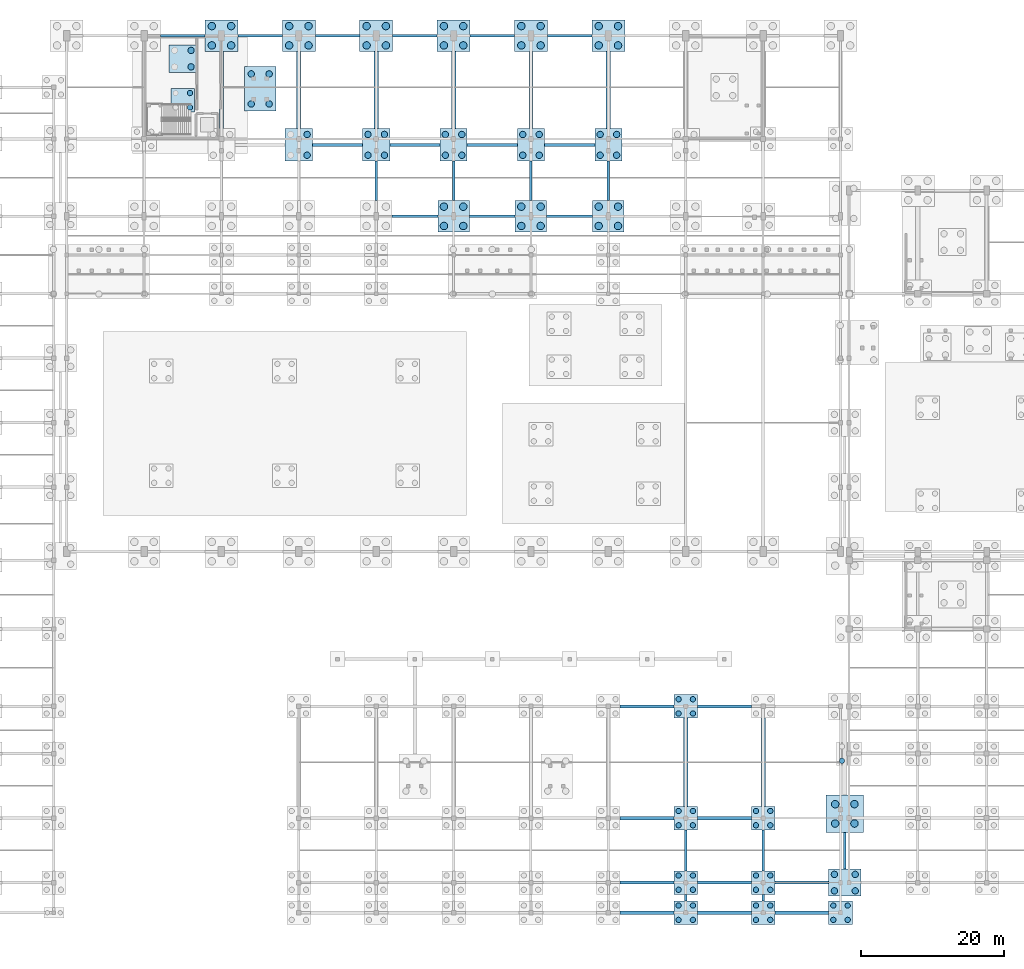
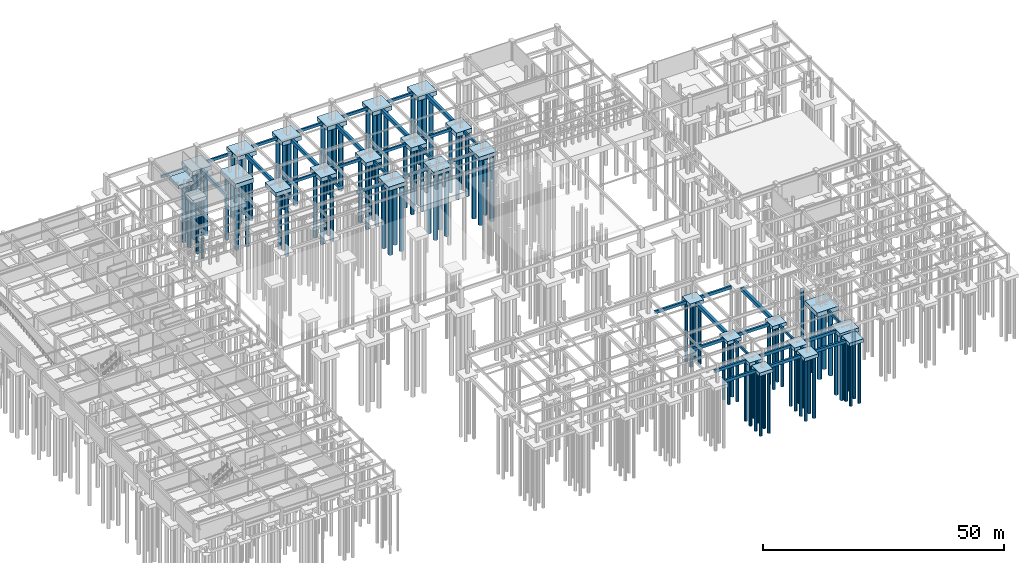
# One storey, part 7 of 33: 103 piles, 67 footings.
"""IFC4 building model written with IfcOpenShell, lengths in metres."""

from ifc_helpers import new_model, si_unit, direction, frame, origin, origin_2d, place, context, subcontext, project, spatial, rectangle, circle, extrude, material, material_profile, profile_set, type_object, element, save


model = new_model("IFC4")

# Units and contexts
model_context = context("Model", 3, precision=1e-05, world=origin(), true_north=direction((0.0, 1.0)))
body_context = subcontext(model_context, "Body", "Model", "MODEL_VIEW")
ifc_project = project(units=[si_unit("LENGTHUNIT", "METRE"), si_unit("AREAUNIT", "SQUARE_METRE"), si_unit("VOLUMEUNIT", "CUBIC_METRE"), si_unit("PLANEANGLEUNIT", "RADIAN"), si_unit("MASSUNIT", "GRAM", prefix="KILO")], contexts=[model_context])

# Site, building, storey
site_placement = place(None, origin())
site = spatial("IfcSite", under=ifc_project, at=site_placement, CompositionType="ELEMENT")
building_placement = place(site_placement, origin())
building = spatial("IfcBuilding", under=site, at=building_placement, Name="Suirenkawa Promenade Aquatics Centre", CompositionType="ELEMENT")
storey_placement = place(building_placement, frame((0.0, 0.0, -4.800048828125)))
storey = spatial("IfcBuildingStorey", under=building, at=storey_placement, Name="B1", CompositionType="ELEMENT", Elevation=-4.800048828125)

# Footings
ifc_material = material(Name="Concrete M35", Category="concrete")
footing_type_1 = type_object("IfcFootingType", Name="FT-GB-350x650", PredefinedType="FOOTING_BEAM", material=ifc_material)
for number, where, z_axis, x_axis, name in (
    (1, (90.0, 102.16259765625, -0.64990234375), (0.0, 0.0, 1.0), (0.0, 1.0, 0.0), "Ground tie beam GB-06 GB-0254"),
    (2, (100.800048828125, 102.16259765625, -0.64990234375), (0.0, 0.0, 1.0), (0.0, 1.0, 0.0), "Ground tie beam GB-06 GB-0260"),
    (3, (111.60009765625, 102.16259765625, -0.64990234375), (0.0, 0.0, 1.0), (0.0, 1.0, 0.0), "Ground tie beam GB-06 GB-0265"),
    (4, (122.39990234375, 102.16259765625, -0.64990234375), (0.0, 0.0, 1.0), (0.0, 1.0, 0.0), "Ground tie beam GB-06 GB-0272"),
):
    element("IfcFooting", number, at=place(storey_placement, frame(where, z_axis=z_axis, x_axis=x_axis)), inside=storey, type_object=footing_type_1, Name=name, PredefinedType="FOOTING_BEAM", context=body_context, shape_type="SweptSolid", body=[
        extrude(rectangle(XDim=5.52490234375, YDim=0.35009765625, at=origin_2d()), origin(), (0.0, 0.0, 1.0), 0.64990234375),
    ])
footing_1_placement = place(storey_placement, frame((133.199951171875, 2.10009765625, -0.64990234375), z_axis=(0.0, 0.0, 1.0), x_axis=(0.0, 1.0, 0.0)))
element("IfcFooting", 5, at=footing_1_placement, inside=storey, type_object=footing_type_1, Name="Ground tie beam GB-06 GB-0274", PredefinedType="FOOTING_BEAM", context=body_context, shape_type="SweptSolid", body=[
    extrude(rectangle(XDim=0.89990234375, YDim=0.35009765625, at=origin_2d()), origin(), (0.0, 0.0, 1.0), 0.64990234375),
])
footing_2_placement = place(storey_placement, frame((133.199951171875, 8.699951171875, -0.64990234375), z_axis=(0.0, 0.0, 1.0), x_axis=(0.0, 1.0, 0.0)))
element("IfcFooting", 6, at=footing_2_placement, inside=storey, type_object=footing_type_1, Name="Ground tie beam GB-06 GB-0275", PredefinedType="FOOTING_BEAM", context=body_context, shape_type="SweptSolid", body=[
    extrude(rectangle(XDim=5.699951171875, YDim=0.35009765625, at=origin_2d()), origin(), (0.0, 0.0, 1.0), 0.64990234375),
])
footing_3_placement = place(storey_placement, frame((144.0, 2.10009765625, -0.64990234375), z_axis=(0.0, 0.0, 1.0), x_axis=(0.0, 1.0, 0.0)))
element("IfcFooting", 7, at=footing_3_placement, inside=storey, type_object=footing_type_1, Name="Ground tie beam GB-06 GB-0279", PredefinedType="FOOTING_BEAM", context=body_context, shape_type="SweptSolid", body=[
    extrude(rectangle(XDim=0.89990234375, YDim=0.35009765625, at=origin_2d()), origin(), (0.0, 0.0, 1.0), 0.64990234375),
])
footing_4_placement = place(storey_placement, frame((144.0, 8.699951171875, -0.64990234375), z_axis=(0.0, 0.0, 1.0), x_axis=(0.0, 1.0, 0.0)))
element("IfcFooting", 8, at=footing_4_placement, inside=storey, type_object=footing_type_1, Name="Ground tie beam GB-06 GB-0280", PredefinedType="FOOTING_BEAM", context=body_context, shape_type="SweptSolid", body=[
    extrude(rectangle(XDim=5.699951171875, YDim=0.35009765625, at=origin_2d()), origin(), (0.0, 0.0, 1.0), 0.64990234375),
])
footing_5_placement = place(storey_placement, frame((155.39990234375, 8.64990234375, -0.64990234375), z_axis=(0.0, 0.0, 1.0), x_axis=(0.0, 1.0, 0.0)))
element("IfcFooting", 9, at=footing_5_placement, inside=storey, type_object=footing_type_1, Name="Ground tie beam GB-06 GB-0284", PredefinedType="FOOTING_BEAM", context=body_context, shape_type="SweptSolid", body=[
    extrude(rectangle(XDim=5.10009765625, YDim=0.35009765625, at=origin_2d()), origin(), (0.0, 0.0, 1.0), 0.64990234375),
])
footing_type_2 = type_object("IfcFootingType", Name="FT-GB-400x700", PredefinedType="FOOTING_BEAM", material=ifc_material)
for number, where, z_axis, x_axis, name in (
    (10, (95.39990234375, 97.199951171875, -0.69970703125), (0.0, 0.0, 1.0), (1.0, 0.0, 0.0), "Ground tie beam GB-01 GB-0131"),
    (11, (106.199951171875, 97.199951171875, -0.69970703125), (0.0, 0.0, 1.0), (1.0, 0.0, 0.0), "Ground tie beam GB-01 GB-0132"),
    (12, (117.0, 97.199951171875, -0.69970703125), (0.0, 0.0, 1.0), (1.0, 0.0, 0.0), "Ground tie beam GB-01 GB-0133"),
):
    element("IfcFooting", number, at=place(storey_placement, frame(where, z_axis=z_axis, x_axis=x_axis)), inside=storey, type_object=footing_type_2, Name=name, PredefinedType="FOOTING_BEAM", context=body_context, shape_type="SweptSolid", body=[
        extrude(rectangle(XDim=6.39990234375, YDim=0.39990234375, at=origin_2d()), origin(), (0.0, 0.0, 1.0), 0.699951171875),
    ])
for number, where, z_axis, x_axis, name in (
    (13, (84.60009765625, 107.175048828125, -0.69970703125), (0.0, 0.0, 1.0), (1.0, 0.0, 0.0), "Ground tie beam GB-01 GB-0139"),
    (14, (95.39990234375, 107.175048828125, -0.69970703125), (0.0, 0.0, 1.0), (1.0, 0.0, 0.0), "Ground tie beam GB-01 GB-0140"),
    (15, (106.199951171875, 107.175048828125, -0.69970703125), (0.0, 0.0, 1.0), (1.0, 0.0, 0.0), "Ground tie beam GB-01 GB-0141"),
    (16, (117.0, 107.175048828125, -0.69970703125), (0.0, 0.0, 1.0), (1.0, 0.0, 0.0), "Ground tie beam GB-01 GB-0142"),
):
    element("IfcFooting", number, at=place(storey_placement, frame(where, z_axis=z_axis, x_axis=x_axis)), inside=storey, type_object=footing_type_2, Name=name, PredefinedType="FOOTING_BEAM", context=body_context, shape_type="SweptSolid", body=[
        extrude(rectangle(XDim=7.0, YDim=0.39990234375, at=origin_2d()), origin(), (0.0, 0.0, 1.0), 0.699951171875),
    ])
for number, where, z_axis, x_axis, name in (
    (17, (63.0, 122.39990234375, -0.69970703125), (0.0, 0.0, 1.0), (1.0, 0.0, 0.0), "Ground tie beam GB-01 GB-0157"),
    (18, (73.800048828125, 122.39990234375, -0.69970703125), (0.0, 0.0, 1.0), (1.0, 0.0, 0.0), "Ground tie beam GB-01 GB-0158"),
    (19, (84.60009765625, 122.39990234375, -0.69970703125), (0.0, 0.0, 1.0), (1.0, 0.0, 0.0), "Ground tie beam GB-01 GB-0159"),
    (20, (95.39990234375, 122.39990234375, -0.69970703125), (0.0, 0.0, 1.0), (1.0, 0.0, 0.0), "Ground tie beam GB-01 GB-0160"),
    (21, (106.199951171875, 122.39990234375, -0.69970703125), (0.0, 0.0, 1.0), (1.0, 0.0, 0.0), "Ground tie beam GB-01 GB-0161"),
    (22, (117.0, 122.39990234375, -0.69970703125), (0.0, 0.0, 1.0), (1.0, 0.0, 0.0), "Ground tie beam GB-01 GB-0162"),
):
    element("IfcFooting", number, at=place(storey_placement, frame(where, z_axis=z_axis, x_axis=x_axis)), inside=storey, type_object=footing_type_2, Name=name, PredefinedType="FOOTING_BEAM", context=body_context, shape_type="SweptSolid", body=[
        extrude(rectangle(XDim=6.199951171875, YDim=0.39990234375, at=origin_2d()), origin(), (0.0, 0.0, 1.0), 0.699951171875),
    ])
footing_type_3 = type_object("IfcFootingType", Name="FT-GB-450x750", PredefinedType="FOOTING_BEAM", material=ifc_material)
for number, where, z_axis, x_axis, name in (
    (23, (127.800048828125, 0.0, -0.75), (0.0, 0.0, 1.0), (1.0, 0.0, 0.0), "Ground tie beam GB-02 GB-0010"),
    (24, (138.60009765625, 0.0, -0.75), (0.0, 0.0, 1.0), (1.0, 0.0, 0.0), "Ground tie beam GB-02 GB-0011"),
    (25, (149.39990234375, 0.0, -0.75), (0.0, 0.0, 1.0), (1.0, 0.0, 0.0), "Ground tie beam GB-02 GB-0012"),
    (26, (127.800048828125, 4.199951171875, -0.75), (0.0, 0.0, 1.0), (1.0, 0.0, 0.0), "Ground tie beam GB-02 GB-0022"),
    (27, (138.60009765625, 4.199951171875, -0.75), (0.0, 0.0, 1.0), (1.0, 0.0, 0.0), "Ground tie beam GB-02 GB-0023"),
    (28, (149.39990234375, 4.199951171875, -0.75), (0.0, 0.0, 1.0), (1.0, 0.0, 0.0), "Ground tie beam GB-02 GB-0024"),
    (29, (127.800048828125, 13.199951171875, -0.75), (0.0, 0.0, 1.0), (1.0, 0.0, 0.0), "Ground tie beam GB-02 GB-0038"),
    (30, (138.60009765625, 13.199951171875, -0.75), (0.0, 0.0, 1.0), (1.0, 0.0, 0.0), "Ground tie beam GB-02 GB-0039"),
    (31, (127.800048828125, 28.800048828125, -0.75), (0.0, 0.0, 1.0), (1.0, 0.0, 0.0), "Ground tie beam GB-02 GB-0060"),
    (32, (138.60009765625, 28.800048828125, -0.75), (0.0, 0.0, 1.0), (1.0, 0.0, 0.0), "Ground tie beam GB-02 GB-0061"),
):
    element("IfcFooting", number, at=place(storey_placement, frame(where, z_axis=z_axis, x_axis=x_axis)), inside=storey, type_object=footing_type_3, Name=name, PredefinedType="FOOTING_BEAM", context=body_context, shape_type="SweptSolid", body=[
        extrude(rectangle(XDim=7.5, YDim=0.449951171875, at=origin_2d()), origin(), (0.0, 0.0, 1.0), 0.75),
    ])
footing_type_4 = type_object("IfcFootingType", Name="FT-GB-600x900", PredefinedType="FOOTING_BEAM", material=ifc_material)
for number, where, z_axis, x_axis, name in (
    (33, (68.39990234375, 114.8125, -0.89990234375), (0.0, 0.0, 1.0), (0.0, 1.0, 0.0), "Ground tie beam GB-05 GB-0241"),
    (34, (79.199951171875, 114.8125, -0.89990234375), (0.0, 0.0, 1.0), (0.0, 1.0, 0.0), "Ground tie beam GB-05 GB-0248"),
    (35, (90.0, 114.8125, -0.89990234375), (0.0, 0.0, 1.0), (0.0, 1.0, 0.0), "Ground tie beam GB-05 GB-0255"),
    (36, (100.800048828125, 114.8125, -0.89990234375), (0.0, 0.0, 1.0), (0.0, 1.0, 0.0), "Ground tie beam GB-05 GB-0261"),
    (37, (111.60009765625, 114.8125, -0.89990234375), (0.0, 0.0, 1.0), (0.0, 1.0, 0.0), "Ground tie beam GB-05 GB-0266"),
    (38, (122.39990234375, 114.8125, -0.89990234375), (0.0, 0.0, 1.0), (0.0, 1.0, 0.0), "Ground tie beam GB-05 GB-0273"),
):
    element("IfcFooting", number, at=place(storey_placement, frame(where, z_axis=z_axis, x_axis=x_axis)), inside=storey, type_object=footing_type_4, Name=name, PredefinedType="FOOTING_BEAM", context=body_context, shape_type="SweptSolid", body=[
        extrude(rectangle(XDim=10.77490234375, YDim=0.60009765625, at=origin_2d()), origin(), (0.0, 0.0, 1.0), 0.89990234375),
    ])
for number, where, z_axis, x_axis, name in (
    (39, (133.199951171875, 21.0, -0.89990234375), (0.0, 0.0, 1.0), (0.0, 1.0, 0.0), "Ground tie beam GB-05 GB-0276"),
    (40, (144.0, 21.0, -0.89990234375), (0.0, 0.0, 1.0), (0.0, 1.0, 0.0), "Ground tie beam GB-05 GB-0281"),
):
    element("IfcFooting", number, at=place(storey_placement, frame(where, z_axis=z_axis, x_axis=x_axis)), inside=storey, type_object=footing_type_4, Name=name, PredefinedType="FOOTING_BEAM", context=body_context, shape_type="SweptSolid", body=[
        extrude(rectangle(XDim=12.300048828125, YDim=0.60009765625, at=origin_2d()), origin(), (0.0, 0.0, 1.0), 0.89990234375),
    ])
footing_type_5 = type_object("IfcFootingType", Name="FT-PC-3300x3300x850", PredefinedType="PILE_CAP", material=ifc_material)
for number, where, z_axis, x_axis, name in (
    (41, (133.199951171875, 0.0, -0.85009765625), (0.0, 0.0, 1.0), (1.0, 0.0, 0.0), "Foundation PC-02 CAP-012"),
    (42, (144.0, 0.0, -0.85009765625), (0.0, 0.0, 1.0), (1.0, 0.0, 0.0), "Foundation PC-02 CAP-013"),
    (43, (154.800048828125, 0.0, -0.85009765625), (0.0, 0.0, 1.0), (1.0, 0.0, 0.0), "Foundation PC-02 CAP-014"),
    (44, (133.199951171875, 4.199951171875, -0.85009765625), (0.0, 0.0, 1.0), (1.0, 0.0, 0.0), "Foundation PC-02 CAP-026"),
    (45, (144.0, 4.199951171875, -0.85009765625), (0.0, 0.0, 1.0), (1.0, 0.0, 0.0), "Foundation PC-02 CAP-027"),
    (46, (133.199951171875, 13.199951171875, -0.85009765625), (0.0, 0.0, 1.0), (1.0, 0.0, 0.0), "Foundation PC-02 CAP-044"),
    (47, (144.0, 13.199951171875, -0.85009765625), (0.0, 0.0, 1.0), (1.0, 0.0, 0.0), "Foundation PC-02 CAP-045"),
    (48, (133.199951171875, 28.800048828125, -0.85009765625), (0.0, 0.0, 1.0), (1.0, 0.0, 0.0), "Foundation PC-02 CAP-075"),
):
    element("IfcFooting", number, at=place(storey_placement, frame(where, z_axis=z_axis, x_axis=x_axis)), inside=storey, type_object=footing_type_5, Name=name, PredefinedType="PILE_CAP", context=body_context, shape_type="SweptSolid", body=[
        extrude(rectangle(XDim=3.300048828125, YDim=3.300048828125, at=origin_2d()), origin(), (0.0, 0.0, 1.0), 0.85009765625),
    ])
footing_type_6 = type_object("IfcFootingType", Name="FT-PC-3800x3800x900", PredefinedType="PILE_CAP", material=ifc_material)
footing_6_placement = place(storey_placement, frame((63.0, 119.199951171875, -0.89990234375), z_axis=(0.0, 0.0, 1.0), x_axis=(1.0, 0.0, 0.0)))
element("IfcFooting", 49, at=footing_6_placement, inside=storey, type_object=footing_type_6, Name="Foundation PC-04 CAP-244", PredefinedType="PILE_CAP", context=body_context, shape_type="SweptSolid", body=[
    extrude(rectangle(XDim=3.800048828125, YDim=3.800048828125, at=origin_2d()), origin(), (0.0, 0.0, 1.0), 0.89990234375),
])
footing_type_7 = type_object("IfcFootingType", Name="FT-PC-4400x4400x1000", PredefinedType="PILE_CAP", material=ifc_material)
for number, where, z_axis, x_axis, name in (
    (50, (100.800048828125, 97.199951171875, -1.0), (0.0, 0.0, 1.0), (1.0, 0.0, 0.0), "Foundation PC-06 CAP-174"),
    (51, (111.60009765625, 97.199951171875, -1.0), (0.0, 0.0, 1.0), (1.0, 0.0, 0.0), "Foundation PC-06 CAP-175"),
    (52, (122.39990234375, 97.199951171875, -1.0), (0.0, 0.0, 1.0), (1.0, 0.0, 0.0), "Foundation PC-06 CAP-176"),
):
    element("IfcFooting", number, at=place(storey_placement, frame(where, z_axis=z_axis, x_axis=x_axis)), inside=storey, type_object=footing_type_7, Name=name, PredefinedType="PILE_CAP", context=body_context, shape_type="SweptSolid", body=[
        extrude(rectangle(XDim=4.39990234375, YDim=4.39990234375, at=origin_2d()), origin(), (0.0, 0.0, 1.0), 1.0),
    ])
footing_type_8 = type_object("IfcFootingType", Name="FT-PC-4600x4400x1050", PredefinedType="PILE_CAP", material=ifc_material)
for number, where, z_axis, x_axis, name in (
    (53, (68.39990234375, 122.39990234375, -1.0498046875), (0.0, 0.0, 1.0), (1.0, 0.0, 0.0), "Foundation PC-07 CAP-208"),
    (54, (79.199951171875, 122.39990234375, -1.0498046875), (0.0, 0.0, 1.0), (1.0, 0.0, 0.0), "Foundation PC-07 CAP-209"),
    (55, (90.0, 122.39990234375, -1.0498046875), (0.0, 0.0, 1.0), (1.0, 0.0, 0.0), "Foundation PC-07 CAP-210"),
    (56, (100.800048828125, 122.39990234375, -1.0498046875), (0.0, 0.0, 1.0), (1.0, 0.0, 0.0), "Foundation PC-07 CAP-211"),
    (57, (111.60009765625, 122.39990234375, -1.0498046875), (0.0, 0.0, 1.0), (1.0, 0.0, 0.0), "Foundation PC-07 CAP-212"),
    (58, (122.39990234375, 122.39990234375, -1.0498046875), (0.0, 0.0, 1.0), (1.0, 0.0, 0.0), "Foundation PC-07 CAP-213"),
):
    element("IfcFooting", number, at=place(storey_placement, frame(where, z_axis=z_axis, x_axis=x_axis)), inside=storey, type_object=footing_type_8, Name=name, PredefinedType="PILE_CAP", context=body_context, shape_type="SweptSolid", body=[
        extrude(rectangle(XDim=4.60009765625, YDim=4.39990234375, at=origin_2d()), origin(), (0.0, 0.0, 1.0), 1.050048828125),
    ])
footing_type_9 = type_object("IfcFootingType", Name="FT-PC-RAFT-3300x3300x850", PredefinedType="PILE_CAP", material=ifc_material)
footing_7_placement = place(storey_placement, frame((63.0, 113.39990234375, -1.330078125), z_axis=(0.0, 0.0, 1.0), x_axis=(1.0, 0.0, 0.0)))
element("IfcFooting", 59, at=footing_7_placement, inside=storey, type_object=footing_type_9, Name="Foundation PC-12 CAP-222", PredefinedType="PILE_CAP", context=body_context, shape_type="SweptSolid", body=[
    extrude(rectangle(XDim=3.300048828125, YDim=3.300048828125, at=origin_2d()), origin(), (0.0, 0.0, 1.0), 0.85009765625),
])
footing_type_10 = type_object("IfcFootingType", Name="FT-PCC-3800x4500x1050", PredefinedType="PILE_CAP", material=ifc_material)
for number, where, z_axis, x_axis, name in (
    (60, (79.199951171875, 107.175048828125, -1.0498046875), (0.0, 0.0, 1.0), (1.0, 0.0, 0.0), "Foundation PCC-02 CAP-184"),
    (61, (90.0, 107.175048828125, -1.0498046875), (0.0, 0.0, 1.0), (1.0, 0.0, 0.0), "Foundation PCC-02 CAP-185"),
    (62, (100.800048828125, 107.175048828125, -1.0498046875), (0.0, 0.0, 1.0), (1.0, 0.0, 0.0), "Foundation PCC-02 CAP-186"),
    (63, (111.60009765625, 107.175048828125, -1.0498046875), (0.0, 0.0, 1.0), (1.0, 0.0, 0.0), "Foundation PCC-02 CAP-187"),
    (64, (122.39990234375, 107.175048828125, -1.0498046875), (0.0, 0.0, 1.0), (1.0, 0.0, 0.0), "Foundation PCC-02 CAP-188"),
):
    element("IfcFooting", number, at=place(storey_placement, frame(where, z_axis=z_axis, x_axis=x_axis)), inside=storey, type_object=footing_type_10, Name=name, PredefinedType="PILE_CAP", context=body_context, shape_type="SweptSolid", body=[
        extrude(rectangle(XDim=3.800048828125, YDim=4.5, at=origin_2d()), origin(), (0.0, 0.0, 1.0), 1.050048828125),
    ])
footing_type_11 = type_object("IfcFootingType", Name="FT-PCC-4400x6200x1100", PredefinedType="PILE_CAP", material=ifc_material)
footing_8_placement = place(storey_placement, frame((73.800048828125, 114.97509765625, -1.10009765625), z_axis=(0.0, 0.0, 1.0), x_axis=(1.0, 0.0, 0.0)))
element("IfcFooting", 65, at=footing_8_placement, inside=storey, type_object=footing_type_11, Name="Foundation PCC-04 CAP-199", PredefinedType="PILE_CAP", context=body_context, shape_type="SweptSolid", body=[
    extrude(rectangle(XDim=4.39990234375, YDim=6.199951171875, at=origin_2d()), origin(), (0.0, 0.0, 1.0), 1.10009765625),
])
footing_type_12 = type_object("IfcFootingType", Name="FT-PCC-4500x3800x1050", PredefinedType="PILE_CAP", material=ifc_material)
footing_9_placement = place(storey_placement, frame((155.39990234375, 4.199951171875, -1.0498046875), z_axis=(0.0, 0.0, 1.0), x_axis=(1.0, 0.0, 0.0)))
element("IfcFooting", 66, at=footing_9_placement, inside=storey, type_object=footing_type_12, Name="Foundation PCC-01 CAP-028", PredefinedType="PILE_CAP", context=body_context, shape_type="SweptSolid", body=[
    extrude(rectangle(XDim=4.5, YDim=3.800048828125, at=origin_2d()), origin(), (0.0, 0.0, 1.0), 1.050048828125),
])
footing_type_13 = type_object("IfcFootingType", Name="FT-PCC-5200x5200x1100", PredefinedType="PILE_CAP", material=ifc_material)
footing_10_placement = place(storey_placement, frame((155.39990234375, 13.800048828125, -1.10009765625), z_axis=(0.0, 0.0, 1.0), x_axis=(1.0, 0.0, 0.0)))
element("IfcFooting", 67, at=footing_10_placement, inside=storey, type_object=footing_type_13, Name="Foundation PCC-03 CAP-046", PredefinedType="PILE_CAP", context=body_context, shape_type="SweptSolid", body=[
    extrude(rectangle(XDim=5.199951171875, YDim=5.199951171875, at=origin_2d()), origin(), (0.0, 0.0, 1.0), 1.10009765625),
])

# Piles
ifc_material_profile_1 = material_profile(ifc_material, circle(Radius=0.52490234375, at=origin_2d()), Name="PILE D1050", Category="concrete")
ifc_profile_set_1 = profile_set([ifc_material_profile_1], Name="Concrete M35")
pile_type_1 = type_object("IfcPileType", Name="PT-BORED-1050", PredefinedType="BORED", material=ifc_profile_set_1)
for number, where, z_axis, x_axis, name in (
    (68, (154.050048828125, 12.449951171875, -0.89990234375), (0.0, 0.0, -1.0), (1.0, 0.0, 0.0), "Bored pile PL-04 PL-0163"),
    (69, (154.050048828125, 15.14990234375, -0.89990234375), (0.0, 0.0, -1.0), (1.0, 0.0, 0.0), "Bored pile PL-04 PL-0164"),
    (70, (156.75, 12.449951171875, -0.89990234375), (0.0, 0.0, -1.0), (1.0, 0.0, 0.0), "Bored pile PL-04 PL-0165"),
    (71, (156.75, 15.14990234375, -0.89990234375), (0.0, 0.0, -1.0), (1.0, 0.0, 0.0), "Bored pile PL-04 PL-0166"),
    (72, (99.449951171875, 95.85009765625, -0.89990234375), (0.0, 0.0, -1.0), (1.0, 0.0, 0.0), "Bored pile PL-04 PL-0659"),
    (73, (99.449951171875, 98.550048828125, -0.89990234375), (0.0, 0.0, -1.0), (1.0, 0.0, 0.0), "Bored pile PL-04 PL-0660"),
    (74, (102.14990234375, 95.85009765625, -0.89990234375), (0.0, 0.0, -1.0), (1.0, 0.0, 0.0), "Bored pile PL-04 PL-0661"),
    (75, (102.14990234375, 98.550048828125, -0.89990234375), (0.0, 0.0, -1.0), (1.0, 0.0, 0.0), "Bored pile PL-04 PL-0662"),
    (76, (110.25, 95.85009765625, -0.89990234375), (0.0, 0.0, -1.0), (1.0, 0.0, 0.0), "Bored pile PL-04 PL-0663"),
    (77, (110.25, 98.550048828125, -0.89990234375), (0.0, 0.0, -1.0), (1.0, 0.0, 0.0), "Bored pile PL-04 PL-0664"),
    (78, (112.949951171875, 95.85009765625, -0.89990234375), (0.0, 0.0, -1.0), (1.0, 0.0, 0.0), "Bored pile PL-04 PL-0665"),
    (79, (112.949951171875, 98.550048828125, -0.89990234375), (0.0, 0.0, -1.0), (1.0, 0.0, 0.0), "Bored pile PL-04 PL-0666"),
    (80, (121.050048828125, 95.85009765625, -0.89990234375), (0.0, 0.0, -1.0), (1.0, 0.0, 0.0), "Bored pile PL-04 PL-0667"),
    (81, (121.050048828125, 98.550048828125, -0.89990234375), (0.0, 0.0, -1.0), (1.0, 0.0, 0.0), "Bored pile PL-04 PL-0668"),
    (82, (123.75, 95.85009765625, -0.89990234375), (0.0, 0.0, -1.0), (1.0, 0.0, 0.0), "Bored pile PL-04 PL-0669"),
    (83, (123.75, 98.550048828125, -0.89990234375), (0.0, 0.0, -1.0), (1.0, 0.0, 0.0), "Bored pile PL-04 PL-0670"),
    (84, (67.050048828125, 121.050048828125, -0.89990234375), (0.0, 0.0, -1.0), (1.0, 0.0, 0.0), "Bored pile PL-04 PL-0795"),
    (85, (67.050048828125, 123.75, -0.89990234375), (0.0, 0.0, -1.0), (1.0, 0.0, 0.0), "Bored pile PL-04 PL-0796"),
    (86, (69.75, 121.050048828125, -0.89990234375), (0.0, 0.0, -1.0), (1.0, 0.0, 0.0), "Bored pile PL-04 PL-0797"),
    (87, (69.75, 123.75, -0.89990234375), (0.0, 0.0, -1.0), (1.0, 0.0, 0.0), "Bored pile PL-04 PL-0798"),
    (88, (77.85009765625, 121.050048828125, -0.89990234375), (0.0, 0.0, -1.0), (1.0, 0.0, 0.0), "Bored pile PL-04 PL-0799"),
    (89, (77.85009765625, 123.75, -0.89990234375), (0.0, 0.0, -1.0), (1.0, 0.0, 0.0), "Bored pile PL-04 PL-0800"),
    (90, (80.550048828125, 121.050048828125, -0.89990234375), (0.0, 0.0, -1.0), (1.0, 0.0, 0.0), "Bored pile PL-04 PL-0801"),
    (91, (80.550048828125, 123.75, -0.89990234375), (0.0, 0.0, -1.0), (1.0, 0.0, 0.0), "Bored pile PL-04 PL-0802"),
    (92, (88.64990234375, 121.050048828125, -0.89990234375), (0.0, 0.0, -1.0), (1.0, 0.0, 0.0), "Bored pile PL-04 PL-0803"),
    (93, (88.64990234375, 123.75, -0.89990234375), (0.0, 0.0, -1.0), (1.0, 0.0, 0.0), "Bored pile PL-04 PL-0804"),
    (94, (91.35009765625, 121.050048828125, -0.89990234375), (0.0, 0.0, -1.0), (1.0, 0.0, 0.0), "Bored pile PL-04 PL-0805"),
    (95, (91.35009765625, 123.75, -0.89990234375), (0.0, 0.0, -1.0), (1.0, 0.0, 0.0), "Bored pile PL-04 PL-0806"),
    (96, (99.449951171875, 121.050048828125, -0.89990234375), (0.0, 0.0, -1.0), (1.0, 0.0, 0.0), "Bored pile PL-04 PL-0807"),
    (97, (99.449951171875, 123.75, -0.89990234375), (0.0, 0.0, -1.0), (1.0, 0.0, 0.0), "Bored pile PL-04 PL-0808"),
    (98, (102.14990234375, 121.050048828125, -0.89990234375), (0.0, 0.0, -1.0), (1.0, 0.0, 0.0), "Bored pile PL-04 PL-0809"),
    (99, (102.14990234375, 123.75, -0.89990234375), (0.0, 0.0, -1.0), (1.0, 0.0, 0.0), "Bored pile PL-04 PL-0810"),
    (100, (110.25, 121.050048828125, -0.89990234375), (0.0, 0.0, -1.0), (1.0, 0.0, 0.0), "Bored pile PL-04 PL-0811"),
    (101, (110.25, 123.75, -0.89990234375), (0.0, 0.0, -1.0), (1.0, 0.0, 0.0), "Bored pile PL-04 PL-0812"),
    (102, (112.949951171875, 121.050048828125, -0.89990234375), (0.0, 0.0, -1.0), (1.0, 0.0, 0.0), "Bored pile PL-04 PL-0813"),
    (103, (112.949951171875, 123.75, -0.89990234375), (0.0, 0.0, -1.0), (1.0, 0.0, 0.0), "Bored pile PL-04 PL-0814"),
    (104, (121.050048828125, 121.050048828125, -0.89990234375), (0.0, 0.0, -1.0), (1.0, 0.0, 0.0), "Bored pile PL-04 PL-0815"),
    (105, (121.050048828125, 123.75, -0.89990234375), (0.0, 0.0, -1.0), (1.0, 0.0, 0.0), "Bored pile PL-04 PL-0816"),
    (106, (123.75, 121.050048828125, -0.89990234375), (0.0, 0.0, -1.0), (1.0, 0.0, 0.0), "Bored pile PL-04 PL-0817"),
    (107, (123.75, 123.75, -0.89990234375), (0.0, 0.0, -1.0), (1.0, 0.0, 0.0), "Bored pile PL-04 PL-0818"),
):
    element("IfcPile", number, at=place(storey_placement, frame(where, z_axis=z_axis, x_axis=x_axis)), inside=storey, type_object=pile_type_1, Name=name, PredefinedType="BORED", context=body_context, shape_type="SweptSolid", body=[
        extrude(circle(Radius=0.52490234375, at=origin_2d()), origin(), (0.0, 0.0, 1.0), 16.800048828125),
    ])
ifc_material_profile_2 = material_profile(ifc_material, circle(Radius=0.375, at=origin_2d()), Name="PILE D750", Category="concrete")
ifc_profile_set_2 = profile_set([ifc_material_profile_2], Name="Concrete M35")
pile_type_2 = type_object("IfcPileType", Name="PT-BORED-750", PredefinedType="BORED", material=ifc_profile_set_2)
for number, where, z_axis, x_axis, name in (
    (108, (132.199951171875, -1.0, -0.75), (0.0, 0.0, -1.0), (1.0, 0.0, 0.0), "Bored pile PL-02 PL-0027"),
    (109, (132.199951171875, 1.0, -0.75), (0.0, 0.0, -1.0), (1.0, 0.0, 0.0), "Bored pile PL-02 PL-0028"),
    (110, (134.199951171875, -1.0, -0.75), (0.0, 0.0, -1.0), (1.0, 0.0, 0.0), "Bored pile PL-02 PL-0029"),
    (111, (134.199951171875, 1.0, -0.75), (0.0, 0.0, -1.0), (1.0, 0.0, 0.0), "Bored pile PL-02 PL-0030"),
    (112, (143.0, -1.0, -0.75), (0.0, 0.0, -1.0), (1.0, 0.0, 0.0), "Bored pile PL-02 PL-0031"),
    (113, (143.0, 1.0, -0.75), (0.0, 0.0, -1.0), (1.0, 0.0, 0.0), "Bored pile PL-02 PL-0032"),
    (114, (145.0, -1.0, -0.75), (0.0, 0.0, -1.0), (1.0, 0.0, 0.0), "Bored pile PL-02 PL-0033"),
    (115, (145.0, 1.0, -0.75), (0.0, 0.0, -1.0), (1.0, 0.0, 0.0), "Bored pile PL-02 PL-0034"),
    (116, (153.800048828125, -1.0, -0.75), (0.0, 0.0, -1.0), (1.0, 0.0, 0.0), "Bored pile PL-02 PL-0035"),
    (117, (153.800048828125, 1.0, -0.75), (0.0, 0.0, -1.0), (1.0, 0.0, 0.0), "Bored pile PL-02 PL-0036"),
    (118, (155.800048828125, -1.0, -0.75), (0.0, 0.0, -1.0), (1.0, 0.0, 0.0), "Bored pile PL-02 PL-0037"),
    (119, (155.800048828125, 1.0, -0.75), (0.0, 0.0, -1.0), (1.0, 0.0, 0.0), "Bored pile PL-02 PL-0038"),
    (120, (132.199951171875, 3.199951171875, -0.75), (0.0, 0.0, -1.0), (1.0, 0.0, 0.0), "Bored pile PL-02 PL-0083"),
    (121, (132.199951171875, 5.199951171875, -0.75), (0.0, 0.0, -1.0), (1.0, 0.0, 0.0), "Bored pile PL-02 PL-0084"),
    (122, (134.199951171875, 3.199951171875, -0.75), (0.0, 0.0, -1.0), (1.0, 0.0, 0.0), "Bored pile PL-02 PL-0085"),
    (123, (134.199951171875, 5.199951171875, -0.75), (0.0, 0.0, -1.0), (1.0, 0.0, 0.0), "Bored pile PL-02 PL-0086"),
    (124, (143.0, 3.199951171875, -0.75), (0.0, 0.0, -1.0), (1.0, 0.0, 0.0), "Bored pile PL-02 PL-0087"),
    (125, (143.0, 5.199951171875, -0.75), (0.0, 0.0, -1.0), (1.0, 0.0, 0.0), "Bored pile PL-02 PL-0088"),
    (126, (145.0, 3.199951171875, -0.75), (0.0, 0.0, -1.0), (1.0, 0.0, 0.0), "Bored pile PL-02 PL-0089"),
    (127, (145.0, 5.199951171875, -0.75), (0.0, 0.0, -1.0), (1.0, 0.0, 0.0), "Bored pile PL-02 PL-0090"),
    (128, (132.199951171875, 12.199951171875, -0.75), (0.0, 0.0, -1.0), (1.0, 0.0, 0.0), "Bored pile PL-02 PL-0155"),
    (129, (132.199951171875, 14.199951171875, -0.75), (0.0, 0.0, -1.0), (1.0, 0.0, 0.0), "Bored pile PL-02 PL-0156"),
    (130, (134.199951171875, 12.199951171875, -0.75), (0.0, 0.0, -1.0), (1.0, 0.0, 0.0), "Bored pile PL-02 PL-0157"),
    (131, (134.199951171875, 14.199951171875, -0.75), (0.0, 0.0, -1.0), (1.0, 0.0, 0.0), "Bored pile PL-02 PL-0158"),
    (132, (143.0, 12.199951171875, -0.75), (0.0, 0.0, -1.0), (1.0, 0.0, 0.0), "Bored pile PL-02 PL-0159"),
    (133, (143.0, 14.199951171875, -0.75), (0.0, 0.0, -1.0), (1.0, 0.0, 0.0), "Bored pile PL-02 PL-0160"),
    (134, (145.0, 12.199951171875, -0.75), (0.0, 0.0, -1.0), (1.0, 0.0, 0.0), "Bored pile PL-02 PL-0161"),
    (135, (145.0, 14.199951171875, -0.75), (0.0, 0.0, -1.0), (1.0, 0.0, 0.0), "Bored pile PL-02 PL-0162"),
    (136, (155.0, 21.199951171875, -0.75), (0.0, 0.0, -1.0), (1.0, 0.0, 0.0), "Bored pile PL-02 PL-0215"),
    (137, (132.199951171875, 27.800048828125, -0.75), (0.0, 0.0, -1.0), (1.0, 0.0, 0.0), "Bored pile PL-02 PL-0281"),
    (138, (132.199951171875, 29.800048828125, -0.75), (0.0, 0.0, -1.0), (1.0, 0.0, 0.0), "Bored pile PL-02 PL-0282"),
    (139, (134.199951171875, 27.800048828125, -0.75), (0.0, 0.0, -1.0), (1.0, 0.0, 0.0), "Bored pile PL-02 PL-0283"),
    (140, (134.199951171875, 29.800048828125, -0.75), (0.0, 0.0, -1.0), (1.0, 0.0, 0.0), "Bored pile PL-02 PL-0284"),
):
    element("IfcPile", number, at=place(storey_placement, frame(where, z_axis=z_axis, x_axis=x_axis)), inside=storey, type_object=pile_type_2, Name=name, PredefinedType="BORED", context=body_context, shape_type="SweptSolid", body=[
        extrude(circle(Radius=0.375, at=origin_2d()), origin(), (0.0, 0.0, 1.0), 15.60009765625),
    ])
for number, where, z_axis, x_axis, name in (
    (141, (64.0, 112.39990234375, -1.22998046875), (0.0, 0.0, -1.0), (1.0, 0.0, 0.0), "Bored pile PL-02 PL-0853"),
    (142, (64.0, 114.39990234375, -1.22998046875), (0.0, 0.0, -1.0), (1.0, 0.0, 0.0), "Bored pile PL-02 PL-0854"),
):
    element("IfcPile", number, at=place(storey_placement, frame(where, z_axis=z_axis, x_axis=x_axis)), inside=storey, type_object=pile_type_2, Name=name, PredefinedType="BORED", context=body_context, shape_type="SweptSolid", body=[
        extrude(circle(Radius=0.375, at=origin_2d()), origin(), (0.0, 0.0, 1.0), 15.1201171875),
    ])
ifc_material_profile_3 = material_profile(ifc_material, circle(Radius=0.449951171875, at=origin_2d()), Name="PILE D900", Category="concrete")
ifc_profile_set_3 = profile_set([ifc_material_profile_3], Name="Concrete M35")
pile_type_3 = type_object("IfcPileType", Name="PT-BORED-900", PredefinedType="BORED", material=ifc_profile_set_3)
for number, where, z_axis, x_axis, name in (
    (143, (64.14990234375, 118.050048828125, -0.800048828125), (0.0, 0.0, -1.0), (1.0, 0.0, 0.0), "Bored pile PL-03 PL-0941"),
    (144, (64.14990234375, 120.35009765625, -0.800048828125), (0.0, 0.0, -1.0), (1.0, 0.0, 0.0), "Bored pile PL-03 PL-0942"),
):
    element("IfcPile", number, at=place(storey_placement, frame(where, z_axis=z_axis, x_axis=x_axis)), inside=storey, type_object=pile_type_3, Name=name, PredefinedType="BORED", context=body_context, shape_type="SweptSolid", body=[
        extrude(circle(Radius=0.449951171875, at=origin_2d()), origin(), (0.0, 0.0, 1.0), 16.199951171875),
    ])
ifc_material_profile_4 = material_profile(ifc_material, circle(Radius=0.449951171875, at=origin_2d()), Name="PILE D900", Category="concrete")
ifc_profile_set_4 = profile_set([ifc_material_profile_4], Name="Concrete M35")
pile_type_4 = type_object("IfcPileType", Name="PT-BORED-900B", PredefinedType="BORED", material=ifc_profile_set_4)
for number, where, z_axis, x_axis, name in (
    (145, (153.949951171875, 3.050048828125, -0.949951171875), (0.0, 0.0, -1.0), (1.0, 0.0, 0.0), "Bored pile PL-03B PL-0091"),
    (146, (153.949951171875, 5.35009765625, -0.949951171875), (0.0, 0.0, -1.0), (1.0, 0.0, 0.0), "Bored pile PL-03B PL-0092"),
    (147, (156.85009765625, 3.050048828125, -0.949951171875), (0.0, 0.0, -1.0), (1.0, 0.0, 0.0), "Bored pile PL-03B PL-0093"),
    (148, (156.85009765625, 5.35009765625, -0.949951171875), (0.0, 0.0, -1.0), (1.0, 0.0, 0.0), "Bored pile PL-03B PL-0094"),
    (149, (80.35009765625, 105.72509765625, -0.949951171875), (0.0, 0.0, -1.0), (1.0, 0.0, 0.0), "Bored pile PL-03B PL-0701"),
    (150, (80.35009765625, 108.625, -0.949951171875), (0.0, 0.0, -1.0), (1.0, 0.0, 0.0), "Bored pile PL-03B PL-0702"),
    (151, (88.85009765625, 105.72509765625, -0.949951171875), (0.0, 0.0, -1.0), (1.0, 0.0, 0.0), "Bored pile PL-03B PL-0703"),
    (152, (88.85009765625, 108.625, -0.949951171875), (0.0, 0.0, -1.0), (1.0, 0.0, 0.0), "Bored pile PL-03B PL-0704"),
    (153, (91.14990234375, 105.72509765625, -0.949951171875), (0.0, 0.0, -1.0), (1.0, 0.0, 0.0), "Bored pile PL-03B PL-0705"),
    (154, (91.14990234375, 108.625, -0.949951171875), (0.0, 0.0, -1.0), (1.0, 0.0, 0.0), "Bored pile PL-03B PL-0706"),
    (155, (99.64990234375, 105.72509765625, -0.949951171875), (0.0, 0.0, -1.0), (1.0, 0.0, 0.0), "Bored pile PL-03B PL-0707"),
    (156, (99.64990234375, 108.625, -0.949951171875), (0.0, 0.0, -1.0), (1.0, 0.0, 0.0), "Bored pile PL-03B PL-0708"),
    (157, (101.949951171875, 105.72509765625, -0.949951171875), (0.0, 0.0, -1.0), (1.0, 0.0, 0.0), "Bored pile PL-03B PL-0709"),
    (158, (101.949951171875, 108.625, -0.949951171875), (0.0, 0.0, -1.0), (1.0, 0.0, 0.0), "Bored pile PL-03B PL-0710"),
    (159, (110.449951171875, 105.72509765625, -0.949951171875), (0.0, 0.0, -1.0), (1.0, 0.0, 0.0), "Bored pile PL-03B PL-0711"),
    (160, (110.449951171875, 108.625, -0.949951171875), (0.0, 0.0, -1.0), (1.0, 0.0, 0.0), "Bored pile PL-03B PL-0712"),
    (161, (112.75, 105.72509765625, -0.949951171875), (0.0, 0.0, -1.0), (1.0, 0.0, 0.0), "Bored pile PL-03B PL-0713"),
    (162, (112.75, 108.625, -0.949951171875), (0.0, 0.0, -1.0), (1.0, 0.0, 0.0), "Bored pile PL-03B PL-0714"),
    (163, (121.25, 105.72509765625, -0.949951171875), (0.0, 0.0, -1.0), (1.0, 0.0, 0.0), "Bored pile PL-03B PL-0715"),
    (164, (121.25, 108.625, -0.949951171875), (0.0, 0.0, -1.0), (1.0, 0.0, 0.0), "Bored pile PL-03B PL-0716"),
    (165, (123.550048828125, 105.72509765625, -0.949951171875), (0.0, 0.0, -1.0), (1.0, 0.0, 0.0), "Bored pile PL-03B PL-0717"),
    (166, (123.550048828125, 108.625, -0.949951171875), (0.0, 0.0, -1.0), (1.0, 0.0, 0.0), "Bored pile PL-03B PL-0718"),
    (167, (72.550048828125, 112.875, -1.0), (0.0, 0.0, -1.0), (1.0, 0.0, 0.0), "Bored pile PL-03B PL-0759"),
    (168, (72.550048828125, 117.074951171875, -1.0), (0.0, 0.0, -1.0), (1.0, 0.0, 0.0), "Bored pile PL-03B PL-0760"),
    (169, (75.050048828125, 112.875, -1.0), (0.0, 0.0, -1.0), (1.0, 0.0, 0.0), "Bored pile PL-03B PL-0761"),
    (170, (75.050048828125, 117.074951171875, -1.0), (0.0, 0.0, -1.0), (1.0, 0.0, 0.0), "Bored pile PL-03B PL-0762"),
):
    element("IfcPile", number, at=place(storey_placement, frame(where, z_axis=z_axis, x_axis=x_axis)), inside=storey, type_object=pile_type_4, Name=name, PredefinedType="BORED", context=body_context, shape_type="SweptSolid", body=[
        extrude(circle(Radius=0.449951171875, at=origin_2d()), origin(), (0.0, 0.0, 1.0), 16.39990234375),
    ])

save(model, "model.ifc")
